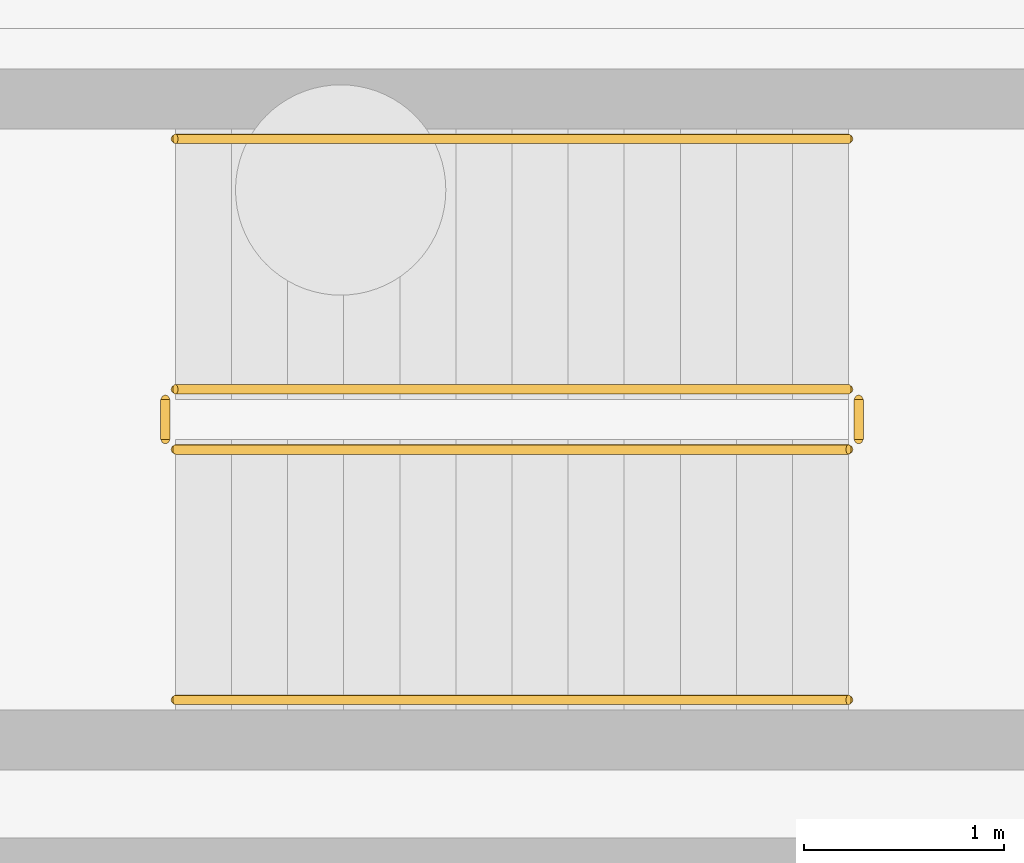
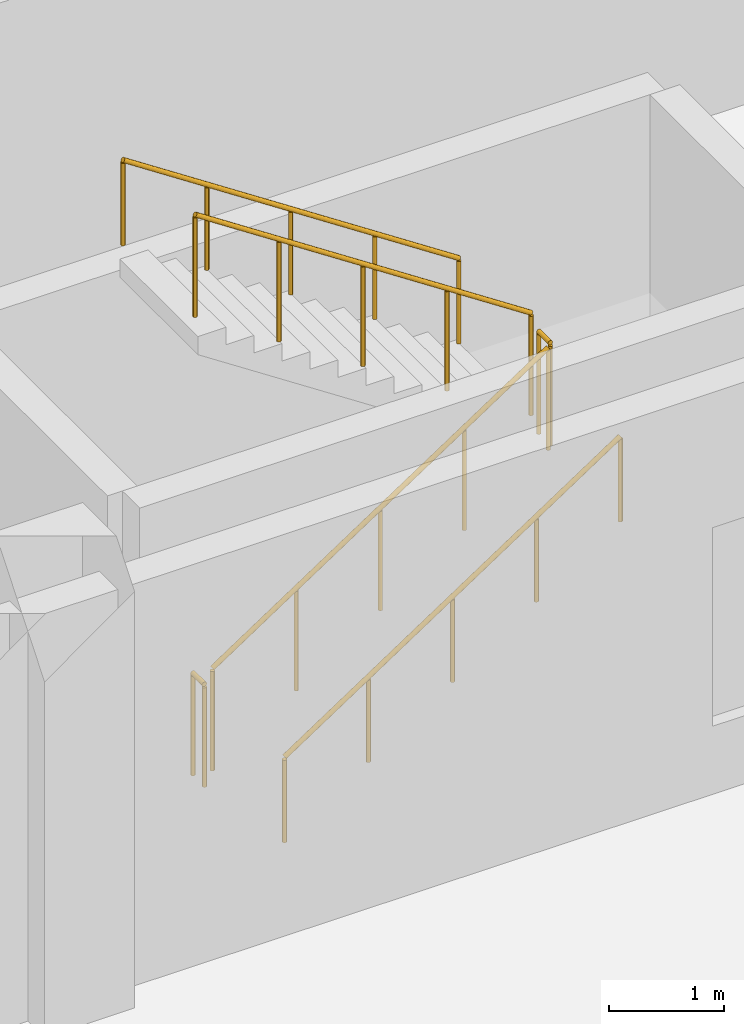
# One storey, part 272 of 285: 6 railings.
"""IFC4 building model written with IfcOpenShell, lengths in metres."""

from ifc_helpers import new_model, si_unit, direction, frame, origin, origin_2d, place, context, subcontext, project, spatial, circle, extrude, material, layer, layer_set, type_object, element, save


model = new_model("IFC4")

# Units and contexts
model_context = context("Model", 3, precision=1e-05, world=origin(), true_north=direction((0.0, 1.0)))
body_context = subcontext(model_context, "Body", "Model", "MODEL_VIEW")
ifc_project = project(units=[si_unit("LENGTHUNIT", "METRE"), si_unit("AREAUNIT", "SQUARE_METRE"), si_unit("VOLUMEUNIT", "CUBIC_METRE"), si_unit("PLANEANGLEUNIT", "RADIAN"), si_unit("MASSUNIT", "GRAM", prefix="KILO")], contexts=[model_context])

# Site, building, storey
site_placement = place(None, origin())
site = spatial("IfcSite", under=ifc_project, at=site_placement, CompositionType="ELEMENT")
building_placement = place(site_placement, origin())
building = spatial("IfcBuilding", under=site, at=building_placement, Name="Solanera Park Tramway Depot", CompositionType="ELEMENT")
storey_placement = place(building_placement, origin())
storey = spatial("IfcBuildingStorey", under=building, at=storey_placement, Name="L00", CompositionType="ELEMENT", Elevation=0.0)

# Railings
ifc_material_1 = material(Name="Brushed stainless steel 316 handrail", Category="steel")
ifc_layer_1 = layer(ifc_material_1, 0.050048828125)
ifc_layer_set_1 = layer_set([ifc_layer_1], Name="Brushed stainless steel 316 handrail")
railing_type_1 = type_object("IfcRailingType", Name="Stair Pitch Tubular Handrail 920", PredefinedType="HANDRAIL", material=ifc_layer_set_1)
railing_1_placement = place(storey_placement, frame((77.699951171875, 11.64990234375, 0.1845703125)))
element("IfcRailing", 1, at=railing_1_placement, inside=storey, type_object=railing_type_1, Name="ST-09 L00 Pitch Handrail 1", PredefinedType="HANDRAIL", context=body_context, shape_type="SweptSolid", body=[
    extrude(circle(Radius=0.02392578125, at=origin_2d()), frame((0.0, 0.0, 0.89599609375), z_axis=(0.834876476806, 0.0, 0.550437342915), x_axis=(0.0, 1.0, 0.0)), (0.0, 0.0, 1.0), 4.024658203125),
    extrude(circle(Radius=0.02099609375, at=origin_2d()), origin(), (0.0, 0.0, 1.0), 0.871826171875),
    extrude(circle(Radius=0.02099609375, at=origin_2d()), frame((0.840087890625, 0.0, 0.5537109375)), (0.0, 0.0, 1.0), 0.871826171875),
    extrude(circle(Radius=0.02099609375, at=origin_2d()), frame((1.68017578125, 0.0, 1.107666015625)), (0.0, 0.0, 1.0), 0.871826171875),
    extrude(circle(Radius=0.02099609375, at=origin_2d()), frame((2.52001953125, 0.0, 1.66162109375)), (0.0, 0.0, 1.0), 0.871826171875),
    extrude(circle(Radius=0.02099609375, at=origin_2d()), frame((3.360107421875, 0.0, 2.21533203125)), (0.0, 0.0, 1.0), 0.871826171875),
])
railing_2_placement = place(storey_placement, frame((81.06005859375, 14.449951171875, 2.584716796875)))
element("IfcRailing", 2, at=railing_2_placement, inside=storey, type_object=railing_type_1, Name="ST-09 L00 Pitch Handrail 2", PredefinedType="HANDRAIL", context=body_context, shape_type="SweptSolid", body=[
    extrude(circle(Radius=0.02392578125, at=origin_2d()), frame((0.0, 0.0, 0.89599609375), z_axis=(-0.834876476806, 0.0, 0.550437342915), x_axis=(0.0, -1.0, 0.0)), (0.0, 0.0, 1.0), 4.024658203125),
    extrude(circle(Radius=0.02099609375, at=origin_2d()), origin(), (0.0, 0.0, 1.0), 0.871826171875),
    extrude(circle(Radius=0.02099609375, at=origin_2d()), frame((-0.840087890625, 0.0, 0.5537109375)), (0.0, 0.0, 1.0), 0.871826171875),
    extrude(circle(Radius=0.02099609375, at=origin_2d()), frame((-1.68017578125, 0.0, 1.107666015625)), (0.0, 0.0, 1.0), 0.871826171875),
    extrude(circle(Radius=0.02099609375, at=origin_2d()), frame((-2.52001953125, 0.0, 1.66162109375)), (0.0, 0.0, 1.0), 0.871826171875),
    extrude(circle(Radius=0.02099609375, at=origin_2d()), frame((-3.360107421875, 0.0, 2.21533203125)), (0.0, 0.0, 1.0), 0.871826171875),
])
ifc_material_2 = material(Name="Steel AS/NZS 1163 Grade C350L0", Category="steel")
ifc_layer_2 = layer(ifc_material_2, 0.06005859375)
ifc_layer_set_2 = layer_set([ifc_layer_2], Name="Steel AS/NZS 1163 Grade C350L0")
railing_type_2 = type_object("IfcRailingType", Name="Stairwell Guardrail 1100", PredefinedType="GUARDRAIL", material=ifc_layer_set_2)
railing_3_placement = place(storey_placement, frame((77.699951171875, 12.89990234375, 0.1845703125)))
element("IfcRailing", 3, at=railing_3_placement, inside=storey, type_object=railing_type_2, Name="ST-09 L00 Well Guard 1", PredefinedType="GUARDRAIL", context=body_context, shape_type="SweptSolid", body=[
    extrude(circle(Radius=0.02392578125, at=origin_2d()), frame((0.0, 0.0, 1.076171875), z_axis=(0.834876476806, 0.0, 0.550437342915), x_axis=(0.0, 1.0, 0.0)), (0.0, 0.0, 1.0), 4.024658203125),
    extrude(circle(Radius=0.02099609375, at=origin_2d()), origin(), (0.0, 0.0, 1.0), 1.052001953125),
    extrude(circle(Radius=0.02099609375, at=origin_2d()), frame((0.840087890625, 0.0, 0.5537109375)), (0.0, 0.0, 1.0), 1.052001953125),
    extrude(circle(Radius=0.02099609375, at=origin_2d()), frame((1.68017578125, 0.0, 1.107666015625)), (0.0, 0.0, 1.0), 1.052001953125),
    extrude(circle(Radius=0.02099609375, at=origin_2d()), frame((2.52001953125, 0.0, 1.66162109375)), (0.0, 0.0, 1.0), 1.052001953125),
    extrude(circle(Radius=0.02099609375, at=origin_2d()), frame((3.360107421875, 0.0, 2.21533203125)), (0.0, 0.0, 1.0), 1.052001953125),
])
railing_4_placement = place(storey_placement, frame((81.110107421875, 12.949951171875, 2.39990234375)))
element("IfcRailing", 4, at=railing_4_placement, inside=storey, type_object=railing_type_2, Name="ST-09 L00 Well Guard 2", PredefinedType="GUARDRAIL", context=body_context, shape_type="SweptSolid", body=[
    extrude(circle(Radius=0.02392578125, at=origin_2d()), frame((0.0, 0.0, 1.076171875), z_axis=(0.0, 1.0, 0.0), x_axis=(-1.0, 0.0, 0.0)), (0.0, 0.0, 1.0), 0.199951171875),
    extrude(circle(Radius=0.02099609375, at=origin_2d()), origin(), (0.0, 0.0, 1.0), 1.052001953125),
    extrude(circle(Radius=0.02099609375, at=origin_2d()), frame((0.0, 0.199951171875, 0.0)), (0.0, 0.0, 1.0), 1.052001953125),
])
railing_5_placement = place(storey_placement, frame((81.06005859375, 13.199951171875, 2.584716796875)))
element("IfcRailing", 5, at=railing_5_placement, inside=storey, type_object=railing_type_2, Name="ST-09 L00 Well Guard 3", PredefinedType="GUARDRAIL", context=body_context, shape_type="SweptSolid", body=[
    extrude(circle(Radius=0.02392578125, at=origin_2d()), frame((0.0, 0.0, 1.076171875), z_axis=(-0.834876476806, 0.0, 0.550437342915), x_axis=(0.0, -1.0, 0.0)), (0.0, 0.0, 1.0), 4.024658203125),
    extrude(circle(Radius=0.02099609375, at=origin_2d()), origin(), (0.0, 0.0, 1.0), 1.052001953125),
    extrude(circle(Radius=0.02099609375, at=origin_2d()), frame((-0.840087890625, 0.0, 0.5537109375)), (0.0, 0.0, 1.0), 1.052001953125),
    extrude(circle(Radius=0.02099609375, at=origin_2d()), frame((-1.68017578125, 0.0, 1.107666015625)), (0.0, 0.0, 1.0), 1.052001953125),
    extrude(circle(Radius=0.02099609375, at=origin_2d()), frame((-2.52001953125, 0.0, 1.66162109375)), (0.0, 0.0, 1.0), 1.052001953125),
    extrude(circle(Radius=0.02099609375, at=origin_2d()), frame((-3.360107421875, 0.0, 2.21533203125)), (0.0, 0.0, 1.0), 1.052001953125),
])
railing_6_placement = place(storey_placement, frame((77.64990234375, 12.949951171875, 0.0)))
element("IfcRailing", 6, at=railing_6_placement, inside=storey, type_object=railing_type_2, Name="ST-09 L00 Well Guard 4", PredefinedType="GUARDRAIL", context=body_context, shape_type="SweptSolid", body=[
    extrude(circle(Radius=0.02392578125, at=origin_2d()), frame((0.0, 0.0, 1.076171875), z_axis=(0.0, 1.0, 0.0), x_axis=(-1.0, 0.0, 0.0)), (0.0, 0.0, 1.0), 0.199951171875),
    extrude(circle(Radius=0.02099609375, at=origin_2d()), origin(), (0.0, 0.0, 1.0), 1.052001953125),
    extrude(circle(Radius=0.02099609375, at=origin_2d()), frame((0.0, 0.199951171875, 0.0)), (0.0, 0.0, 1.0), 1.052001953125),
])

save(model, "model.ifc")
